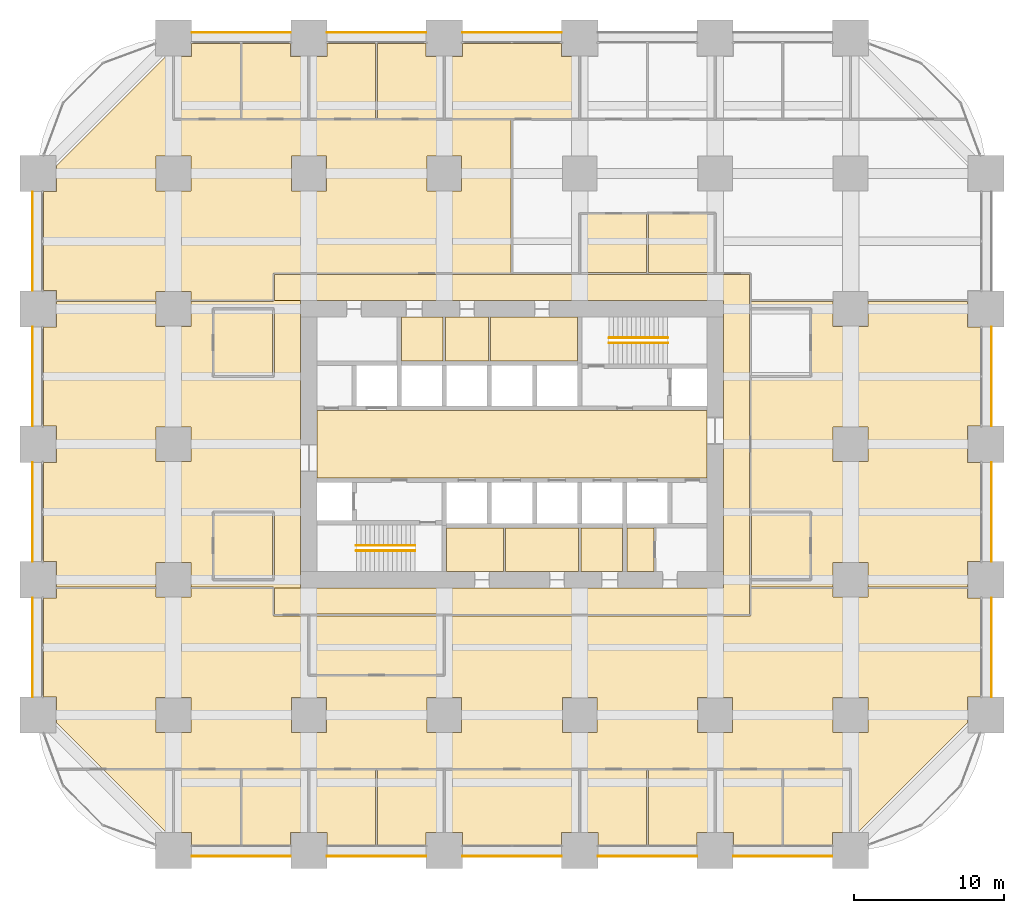
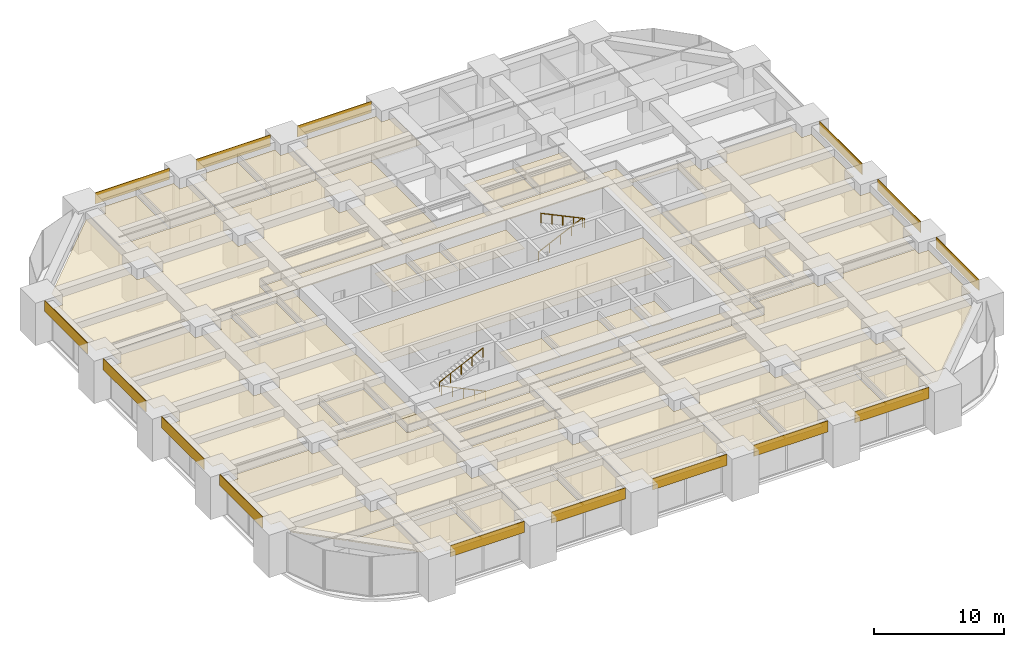
# One storey, part 44 of 45: 49 coverings, 4 railings.
"""IFC4 building model written with IfcOpenShell, lengths in metres."""

from ifc_helpers import new_model, si_unit, direction, frame, frame_2d, origin, origin_2d, place, context, subcontext, project, spatial, polyline, rectangle, circle, outline, extrude, material, layer, layer_set, type_object, element, save


model = new_model("IFC4")

# Units and contexts
model_context = context("Model", 3, precision=1e-05, world=origin(), true_north=direction((0.0, 1.0)))
body_context = subcontext(model_context, "Body", "Model", "MODEL_VIEW")
ifc_project = project(units=[si_unit("LENGTHUNIT", "METRE"), si_unit("AREAUNIT", "SQUARE_METRE"), si_unit("VOLUMEUNIT", "CUBIC_METRE"), si_unit("PLANEANGLEUNIT", "RADIAN"), si_unit("MASSUNIT", "GRAM", prefix="KILO")], contexts=[model_context])

# Site, building, storey
site_placement = place(None, origin())
site = spatial("IfcSite", under=ifc_project, at=site_placement, CompositionType="ELEMENT")
building_placement = place(site_placement, origin())
building = spatial("IfcBuilding", under=site, at=building_placement, Name="Zorevar Civic Tower", CompositionType="ELEMENT")
storey_placement = place(building_placement, frame((0.0, 0.0, 47.800048828125)))
storey = spatial("IfcBuildingStorey", under=building, at=storey_placement, Name="L11", CompositionType="ELEMENT", Elevation=47.800048828125)

# Railings
ifc_material_1 = material(Name="Black steel handrail", Category="steel")
railing_type = type_object("IfcRailingType", Name="Handrail HR1 900", PredefinedType="HANDRAIL", material=ifc_material_1)
railing_1_placement = place(storey_placement, frame((25.050048828125, 19.925048828125, 0.142822265625)))
element("IfcRailing", 1, at=railing_1_placement, inside=storey, type_object=railing_type, Name="Handrail HR1 ST1 L11", PredefinedType="HANDRAIL", context=body_context, shape_type="SweptSolid", body=[
    extrude(circle(Radius=0.02392578125, at=origin_2d()), frame((0.0, 0.0, 0.8759765625), z_axis=(-0.902863652845, 0.0, 0.429926998885), x_axis=(0.0, -1.0, 0.0)), (0.0, 0.0, 1.0), 4.31982421875),
    extrude(circle(Radius=0.02099609375, at=origin_2d()), origin(), (0.0, 0.0, 1.0), 0.851806640625),
    extrude(circle(Radius=0.02099609375, at=origin_2d()), frame((-0.97509765625, 0.0, 0.46435546875)), (0.0, 0.0, 1.0), 0.851806640625),
    extrude(circle(Radius=0.02099609375, at=origin_2d()), frame((-1.9501953125, 0.0, 0.9287109375)), (0.0, 0.0, 1.0), 0.851806640625),
    extrude(circle(Radius=0.02099609375, at=origin_2d()), frame((-2.925048828125, 0.0, 1.392822265625)), (0.0, 0.0, 1.0), 0.851806640625),
    extrude(circle(Radius=0.02099609375, at=origin_2d()), frame((-3.900146484375, 0.0, 1.857177734375)), (0.0, 0.0, 1.0), 0.851806640625),
])
for number, where, name in (
    (2, (21.14990234375, 20.27490234375, 2.142822265625), "Handrail HR1 ST1 L11"),
    (3, (37.949951171875, 34.074951171875, 0.142822265625), "Handrail HR1 ST2 L11"),
):
    element("IfcRailing", number, at=place(storey_placement, frame(where)), inside=storey, type_object=railing_type, Name=name, PredefinedType="HANDRAIL", context=body_context, shape_type="SweptSolid", body=[
        extrude(circle(Radius=0.02392578125, at=origin_2d()), frame((0.0, 0.0, 0.8759765625), z_axis=(0.902863652845, 0.0, 0.429926998885), x_axis=(0.0, 1.0, 0.0)), (0.0, 0.0, 1.0), 4.31982421875),
        extrude(circle(Radius=0.02099609375, at=origin_2d()), origin(), (0.0, 0.0, 1.0), 0.851806640625),
        extrude(circle(Radius=0.02099609375, at=origin_2d()), frame((0.97509765625, 0.0, 0.46435546875)), (0.0, 0.0, 1.0), 0.851806640625),
        extrude(circle(Radius=0.02099609375, at=origin_2d()), frame((1.9501953125, 0.0, 0.9287109375)), (0.0, 0.0, 1.0), 0.851806640625),
        extrude(circle(Radius=0.02099609375, at=origin_2d()), frame((2.925048828125, 0.0, 1.392822265625)), (0.0, 0.0, 1.0), 0.851806640625),
        extrude(circle(Radius=0.02099609375, at=origin_2d()), frame((3.900146484375, 0.0, 1.857177734375)), (0.0, 0.0, 1.0), 0.851806640625),
    ])
railing_2_placement = place(storey_placement, frame((41.85009765625, 33.72509765625, 2.142822265625)))
element("IfcRailing", 4, at=railing_2_placement, inside=storey, type_object=railing_type, Name="Handrail HR1 ST2 L11", PredefinedType="HANDRAIL", context=body_context, shape_type="SweptSolid", body=[
    extrude(circle(Radius=0.02392578125, at=origin_2d()), frame((0.0, 0.0, 0.8759765625), z_axis=(-0.902863652845, 0.0, 0.429926998885), x_axis=(0.0, -1.0, 0.0)), (0.0, 0.0, 1.0), 4.31982421875),
    extrude(circle(Radius=0.02099609375, at=origin_2d()), origin(), (0.0, 0.0, 1.0), 0.851806640625),
    extrude(circle(Radius=0.02099609375, at=origin_2d()), frame((-0.97509765625, 0.0, 0.46435546875)), (0.0, 0.0, 1.0), 0.851806640625),
    extrude(circle(Radius=0.02099609375, at=origin_2d()), frame((-1.9501953125, 0.0, 0.9287109375)), (0.0, 0.0, 1.0), 0.851806640625),
    extrude(circle(Radius=0.02099609375, at=origin_2d()), frame((-2.925048828125, 0.0, 1.392822265625)), (0.0, 0.0, 1.0), 0.851806640625),
    extrude(circle(Radius=0.02099609375, at=origin_2d()), frame((-3.900146484375, 0.0, 1.857177734375)), (0.0, 0.0, 1.0), 0.851806640625),
])

# Coverings
ifc_material_2 = material(Name="Moisture-resistant gypsum board")
ifc_layer_1 = layer(ifc_material_2, 0.012451171875)
ifc_layer_set_1 = layer_set([ifc_layer_1], Name="Moisture-resistant ceiling SC3")
covering_type_1 = type_object("IfcCoveringType", Name="Moisture-resistant ceiling SC3", PredefinedType="CEILING", material=ifc_layer_set_1)
covering_1_placement = place(storey_placement, frame((0.0, 0.0, 3.0)))
element("IfcCovering", 5, at=covering_1_placement, inside=storey, type_object=covering_type_1, Name="Ceiling L11-05", PredefinedType="CEILING", context=body_context, shape_type="SweptSolid", body=[
    extrude(outline(polyline([(30.925048828125, 18.550048828125), (30.925048828125, 21.449951171875), (27.14990234375, 21.449951171875), (27.14990234375, 18.550048828125), (30.925048828125, 18.550048828125)])), origin(), (0.0, 0.0, 1.0), 0.012451171875),
])
covering_2_placement = place(storey_placement, frame((0.0, 0.0, 3.0)))
element("IfcCovering", 6, at=covering_2_placement, inside=storey, type_object=covering_type_1, Name="Ceiling L11-06", PredefinedType="CEILING", context=body_context, shape_type="SweptSolid", body=[
    extrude(outline(polyline([(35.925048828125, 18.550048828125), (35.925048828125, 21.449951171875), (31.074951171875, 21.449951171875), (31.074951171875, 18.550048828125), (35.925048828125, 18.550048828125)])), origin(), (0.0, 0.0, 1.0), 0.012451171875),
])
covering_3_placement = place(storey_placement, frame((0.0, 0.0, 3.0)))
element("IfcCovering", 7, at=covering_3_placement, inside=storey, type_object=covering_type_1, Name="Ceiling L11-07", PredefinedType="CEILING", context=body_context, shape_type="SweptSolid", body=[
    extrude(outline(polyline([(38.85009765625, 18.550048828125), (38.85009765625, 21.449951171875), (36.074951171875, 21.449951171875), (36.074951171875, 18.550048828125), (38.85009765625, 18.550048828125)])), origin(), (0.0, 0.0, 1.0), 0.012451171875),
])
covering_4_placement = place(storey_placement, frame((0.0, 0.0, 3.0)))
element("IfcCovering", 8, at=covering_4_placement, inside=storey, type_object=covering_type_1, Name="Ceiling L11-10", PredefinedType="CEILING", context=body_context, shape_type="SweptSolid", body=[
    extrude(outline(polyline([(26.925048828125, 32.550048828125), (26.925048828125, 35.449951171875), (24.14990234375, 35.449951171875), (24.14990234375, 32.550048828125), (26.925048828125, 32.550048828125)])), origin(), (0.0, 0.0, 1.0), 0.012451171875),
])
ifc_material_3 = material(Name="Black anodised aluminium spandrel panel", Category="aluminium")
ifc_layer_2 = layer(ifc_material_3, 0.050048828125)
ifc_layer_set_2 = layer_set([ifc_layer_2], Name="Spandrel cladding SP1")
covering_type_2 = type_object("IfcCoveringType", Name="Spandrel cladding SP1", PredefinedType="CLADDING", material=ifc_layer_set_2)
for number, where, z_axis, x_axis, name in (
    (9, (10.199951171875, -0.375, 2.949951171875), (0.0, 0.0, 1.0), (1.0, 0.0, 0.0), "Spandrel cladding L12"),
    (10, (19.199951171875, -0.375, 2.949951171875), (0.0, 0.0, 1.0), (1.0, 0.0, 0.0), "Spandrel cladding L12"),
    (11, (28.199951171875, -0.375, 2.949951171875), (0.0, 0.0, 1.0), (1.0, 0.0, 0.0), "Spandrel cladding L12"),
    (12, (37.199951171875, -0.375, 2.949951171875), (0.0, 0.0, 1.0), (1.0, 0.0, 0.0), "Spandrel cladding L12"),
    (13, (46.199951171875, -0.375, 2.949951171875), (0.0, 0.0, 1.0), (1.0, 0.0, 0.0), "Spandrel cladding L12"),
    (14, (10.199951171875, 54.375, 2.949951171875), (0.0, 0.0, 1.0), (1.0, 0.0, 0.0), "Spandrel cladding L12"),
    (15, (19.199951171875, 54.375, 2.949951171875), (0.0, 0.0, 1.0), (1.0, 0.0, 0.0), "Spandrel cladding L12"),
    (16, (28.199951171875, 54.375, 2.949951171875), (0.0, 0.0, 1.0), (1.0, 0.0, 0.0), "Spandrel cladding L12"),
    (17, (-0.375, 10.199951171875, 2.949951171875), (0.0, 0.0, 1.0), (0.0, 1.0, 0.0), "Spandrel cladding L12"),
    (18, (-0.375, 19.199951171875, 2.949951171875), (0.0, 0.0, 1.0), (0.0, 1.0, 0.0), "Spandrel cladding L12"),
    (19, (-0.375, 28.199951171875, 2.949951171875), (0.0, 0.0, 1.0), (0.0, 1.0, 0.0), "Spandrel cladding L12"),
    (20, (-0.375, 37.199951171875, 2.949951171875), (0.0, 0.0, 1.0), (0.0, 1.0, 0.0), "Spandrel cladding L12"),
    (21, (63.375, 10.199951171875, 2.949951171875), (0.0, 0.0, 1.0), (0.0, 1.0, 0.0), "Spandrel cladding L12"),
    (22, (63.375, 19.199951171875, 2.949951171875), (0.0, 0.0, 1.0), (0.0, 1.0, 0.0), "Spandrel cladding L12"),
    (23, (63.375, 28.199951171875, 2.949951171875), (0.0, 0.0, 1.0), (0.0, 1.0, 0.0), "Spandrel cladding L12"),
):
    element("IfcCovering", number, at=place(storey_placement, frame(where, z_axis=z_axis, x_axis=x_axis)), inside=storey, type_object=covering_type_2, Name=name, PredefinedType="CLADDING", context=body_context, shape_type="SweptSolid", body=[
        extrude(rectangle(XDim=6.60009765625, YDim=0.050048828125, at=frame_2d((3.300048828125, 0.0))), origin(), (0.0, 0.0, 1.0), 1.050048828125),
    ])
ifc_material_4 = material(Name="Mineral fibre tiles on a concealed grid")
ifc_layer_3 = layer(ifc_material_4, 0.02001953125)
ifc_layer_set_3 = layer_set([ifc_layer_3], Name="Suspended ceiling SC1")
covering_type_3 = type_object("IfcCoveringType", Name="Suspended ceiling SC1", PredefinedType="CEILING", material=ifc_layer_set_3)
covering_5_placement = place(storey_placement, frame((0.0, 0.0, 3.0)))
element("IfcCovering", 24, at=covering_5_placement, inside=storey, type_object=covering_type_3, Name="Ceiling L11-08", PredefinedType="CEILING", context=body_context, shape_type="SweptSolid", body=[
    extrude(outline(polyline([(35.85009765625, 32.550048828125), (35.85009765625, 35.449951171875), (30.06005859375, 35.449951171875), (30.06005859375, 32.550048828125), (35.85009765625, 32.550048828125)])), origin(), (0.0, 0.0, 1.0), 0.02001953125),
])
covering_6_placement = place(storey_placement, frame((0.0, 0.0, 3.0)))
element("IfcCovering", 25, at=covering_6_placement, inside=storey, type_object=covering_type_3, Name="Ceiling L11-09", PredefinedType="CEILING", context=body_context, shape_type="SweptSolid", body=[
    extrude(outline(polyline([(29.93994140625, 32.550048828125), (29.93994140625, 35.449951171875), (27.074951171875, 35.449951171875), (27.074951171875, 32.550048828125), (29.93994140625, 32.550048828125)])), origin(), (0.0, 0.0, 1.0), 0.02001953125),
])
covering_7_placement = place(storey_placement, frame((0.0, 0.0, 3.0)))
element("IfcCovering", 26, at=covering_7_placement, inside=storey, type_object=covering_type_3, Name="Ceiling L11-11", PredefinedType="CEILING", context=body_context, shape_type="SweptSolid", body=[
    extrude(outline(polyline([(40.93994140625, 18.550048828125), (40.93994140625, 21.449951171875), (39.14990234375, 21.449951171875), (39.14990234375, 18.550048828125), (40.93994140625, 18.550048828125)])), origin(), (0.0, 0.0, 1.0), 0.02001953125),
])
covering_8_placement = place(storey_placement, frame((0.0, 0.0, 3.0)))
element("IfcCovering", 27, at=covering_8_placement, inside=storey, type_object=covering_type_3, Name="Ceiling L11-16", PredefinedType="CEILING", context=body_context, shape_type="SweptSolid", body=[
    extrude(outline(polyline([(44.449951171875, 24.75), (44.449951171875, 29.25), (18.550048828125, 29.25), (18.550048828125, 24.75), (44.449951171875, 24.75)])), origin(), (0.0, 0.0, 1.0), 0.02001953125),
])
covering_9_placement = place(storey_placement, frame((0.0, 0.0, 3.0)))
element("IfcCovering", 28, at=covering_9_placement, inside=storey, type_object=covering_type_3, Name="Ceiling L11-17", PredefinedType="CEILING", context=body_context, shape_type="SweptSolid", body=[
    extrude(outline(polyline([(13.43994140625, 5.340087890625), (13.43994140625, 0.35009765625), (10.2099609375, 0.35009765625), (10.2099609375, 1.2099609375), (9.06005859375, 1.2099609375), (9.06005859375, 5.340087890625), (13.43994140625, 5.340087890625)])), origin(), (0.0, 0.0, 1.0), 0.02001953125),
])
covering_10_placement = place(storey_placement, frame((0.0, 0.0, 3.0)))
element("IfcCovering", 29, at=covering_10_placement, inside=storey, type_object=covering_type_3, Name="Ceiling L11-18", PredefinedType="CEILING", context=body_context, shape_type="SweptSolid", body=[
    extrude(outline(polyline([(17.93994140625, 5.340087890625), (17.93994140625, 1.2099609375), (16.7900390625, 1.2099609375), (16.7900390625, 0.35009765625), (13.56005859375, 0.35009765625), (13.56005859375, 5.340087890625), (17.93994140625, 5.340087890625)])), origin(), (0.0, 0.0, 1.0), 0.02001953125),
])
covering_11_placement = place(storey_placement, frame((0.0, 0.0, 3.0)))
element("IfcCovering", 30, at=covering_11_placement, inside=storey, type_object=covering_type_3, Name="Ceiling L11-19", PredefinedType="CEILING", context=body_context, shape_type="SweptSolid", body=[
    extrude(outline(polyline([(22.43994140625, 5.340087890625), (22.43994140625, 0.35009765625), (19.2099609375, 0.35009765625), (19.2099609375, 1.2099609375), (18.06005859375, 1.2099609375), (18.06005859375, 5.340087890625), (22.43994140625, 5.340087890625)])), origin(), (0.0, 0.0, 1.0), 0.02001953125),
])
covering_12_placement = place(storey_placement, frame((0.0, 0.0, 3.0)))
element("IfcCovering", 31, at=covering_12_placement, inside=storey, type_object=covering_type_3, Name="Ceiling L11-20", PredefinedType="CEILING", context=body_context, shape_type="SweptSolid", body=[
    extrude(outline(polyline([(26.93994140625, 5.340087890625), (26.93994140625, 1.2099609375), (25.7900390625, 1.2099609375), (25.7900390625, 0.35009765625), (22.56005859375, 0.35009765625), (22.56005859375, 5.340087890625), (26.93994140625, 5.340087890625)])), origin(), (0.0, 0.0, 1.0), 0.02001953125),
])
covering_13_placement = place(storey_placement, frame((0.0, 0.0, 3.0)))
element("IfcCovering", 32, at=covering_13_placement, inside=storey, type_object=covering_type_3, Name="Ceiling L11-21", PredefinedType="CEILING", context=body_context, shape_type="SweptSolid", body=[
    extrude(outline(polyline([(28.2099609375, 0.35009765625), (28.2099609375, 1.2099609375), (27.06005859375, 1.2099609375), (27.06005859375, 5.340087890625), (35.93994140625, 5.340087890625), (35.93994140625, 1.2099609375), (34.7900390625, 1.2099609375), (34.7900390625, 0.35009765625), (28.2099609375, 0.35009765625)])), origin(), (0.0, 0.0, 1.0), 0.02001953125),
])
covering_14_placement = place(storey_placement, frame((0.0, 0.0, 3.0)))
element("IfcCovering", 33, at=covering_14_placement, inside=storey, type_object=covering_type_3, Name="Ceiling L11-22", PredefinedType="CEILING", context=body_context, shape_type="SweptSolid", body=[
    extrude(outline(polyline([(40.43994140625, 5.340087890625), (40.43994140625, 0.35009765625), (37.2099609375, 0.35009765625), (37.2099609375, 1.2099609375), (36.06005859375, 1.2099609375), (36.06005859375, 5.340087890625), (40.43994140625, 5.340087890625)])), origin(), (0.0, 0.0, 1.0), 0.02001953125),
])
covering_15_placement = place(storey_placement, frame((0.0, 0.0, 3.0)))
element("IfcCovering", 34, at=covering_15_placement, inside=storey, type_object=covering_type_3, Name="Ceiling L11-23", PredefinedType="CEILING", context=body_context, shape_type="SweptSolid", body=[
    extrude(outline(polyline([(44.93994140625, 5.340087890625), (44.93994140625, 1.2099609375), (43.7900390625, 1.2099609375), (43.7900390625, 0.35009765625), (40.56005859375, 0.35009765625), (40.56005859375, 5.340087890625), (44.93994140625, 5.340087890625)])), origin(), (0.0, 0.0, 1.0), 0.02001953125),
])
covering_16_placement = place(storey_placement, frame((0.0, 0.0, 3.0)))
element("IfcCovering", 35, at=covering_16_placement, inside=storey, type_object=covering_type_3, Name="Ceiling L11-24", PredefinedType="CEILING", context=body_context, shape_type="SweptSolid", body=[
    extrude(outline(polyline([(49.43994140625, 5.340087890625), (49.43994140625, 0.35009765625), (46.2099609375, 0.35009765625), (46.2099609375, 1.2099609375), (45.06005859375, 1.2099609375), (45.06005859375, 5.340087890625), (49.43994140625, 5.340087890625)])), origin(), (0.0, 0.0, 1.0), 0.02001953125),
])
covering_17_placement = place(storey_placement, frame((0.0, 0.0, 3.0)))
element("IfcCovering", 36, at=covering_17_placement, inside=storey, type_object=covering_type_3, Name="Ceiling L11-25", PredefinedType="CEILING", context=body_context, shape_type="SweptSolid", body=[
    extrude(outline(polyline([(53.93994140625, 5.340087890625), (53.93994140625, 1.2099609375), (52.7900390625, 1.2099609375), (52.7900390625, 0.35009765625), (49.56005859375, 0.35009765625), (49.56005859375, 5.340087890625), (53.93994140625, 5.340087890625)])), origin(), (0.0, 0.0, 1.0), 0.02001953125),
])
covering_18_placement = place(storey_placement, frame((0.0, 0.0, 3.0)))
element("IfcCovering", 37, at=covering_18_placement, inside=storey, type_object=covering_type_3, Name="Ceiling L11-26", PredefinedType="CEILING", context=body_context, shape_type="SweptSolid", body=[
    extrude(outline(polyline([(9.06005859375, 48.659912109375), (9.06005859375, 52.7900390625), (10.2099609375, 52.7900390625), (10.2099609375, 53.64990234375), (13.43994140625, 53.64990234375), (13.43994140625, 48.659912109375), (9.06005859375, 48.659912109375)])), origin(), (0.0, 0.0, 1.0), 0.02001953125),
])
covering_19_placement = place(storey_placement, frame((0.0, 0.0, 3.0)))
element("IfcCovering", 38, at=covering_19_placement, inside=storey, type_object=covering_type_3, Name="Ceiling L11-27", PredefinedType="CEILING", context=body_context, shape_type="SweptSolid", body=[
    extrude(outline(polyline([(13.56005859375, 48.659912109375), (13.56005859375, 53.64990234375), (16.7900390625, 53.64990234375), (16.7900390625, 52.7900390625), (17.93994140625, 52.7900390625), (17.93994140625, 48.659912109375), (13.56005859375, 48.659912109375)])), origin(), (0.0, 0.0, 1.0), 0.02001953125),
])
covering_20_placement = place(storey_placement, frame((0.0, 0.0, 3.0)))
element("IfcCovering", 39, at=covering_20_placement, inside=storey, type_object=covering_type_3, Name="Ceiling L11-28", PredefinedType="CEILING", context=body_context, shape_type="SweptSolid", body=[
    extrude(outline(polyline([(18.06005859375, 48.659912109375), (18.06005859375, 52.7900390625), (19.2099609375, 52.7900390625), (19.2099609375, 53.64990234375), (22.43994140625, 53.64990234375), (22.43994140625, 48.659912109375), (18.06005859375, 48.659912109375)])), origin(), (0.0, 0.0, 1.0), 0.02001953125),
])
covering_21_placement = place(storey_placement, frame((0.0, 0.0, 3.0)))
element("IfcCovering", 40, at=covering_21_placement, inside=storey, type_object=covering_type_3, Name="Ceiling L11-29", PredefinedType="CEILING", context=body_context, shape_type="SweptSolid", body=[
    extrude(outline(polyline([(22.56005859375, 48.659912109375), (22.56005859375, 53.64990234375), (25.7900390625, 53.64990234375), (25.7900390625, 52.7900390625), (26.93994140625, 52.7900390625), (26.93994140625, 48.659912109375), (22.56005859375, 48.659912109375)])), origin(), (0.0, 0.0, 1.0), 0.02001953125),
])
covering_22_placement = place(storey_placement, frame((0.0, 0.0, 3.0)))
element("IfcCovering", 41, at=covering_22_placement, inside=storey, type_object=covering_type_3, Name="Ceiling L11-30", PredefinedType="CEILING", context=body_context, shape_type="SweptSolid", body=[
    extrude(outline(polyline([(28.2099609375, 52.7900390625), (28.2099609375, 53.64990234375), (34.7900390625, 53.64990234375), (34.7900390625, 52.7900390625), (35.93994140625, 52.7900390625), (35.93994140625, 48.659912109375), (27.06005859375, 48.659912109375), (27.06005859375, 52.7900390625), (28.2099609375, 52.7900390625)])), origin(), (0.0, 0.0, 1.0), 0.02001953125),
])
covering_23_placement = place(storey_placement, frame((0.0, 0.0, 3.0)))
element("IfcCovering", 42, at=covering_23_placement, inside=storey, type_object=covering_type_3, Name="Ceiling L11-35", PredefinedType="CEILING", context=body_context, shape_type="SweptSolid", body=[
    extrude(outline(polyline([(18.06005859375, 11.699951171875), (18.06005859375, 15.590087890625), (26.93994140625, 15.590087890625), (26.93994140625, 11.699951171875), (18.06005859375, 11.699951171875)])), origin(), (0.0, 0.0, 1.0), 0.02001953125),
])
covering_24_placement = place(storey_placement, frame((0.0, 0.0, 3.0)))
element("IfcCovering", 43, at=covering_24_placement, inside=storey, type_object=covering_type_3, Name="Ceiling L11-36", PredefinedType="CEILING", context=body_context, shape_type="SweptSolid", body=[
    extrude(outline(polyline([(36.06005859375, 38.409912109375), (36.06005859375, 42.300048828125), (40.43994140625, 42.300048828125), (40.43994140625, 38.409912109375), (36.06005859375, 38.409912109375)])), origin(), (0.0, 0.0, 1.0), 0.02001953125),
])
covering_25_placement = place(storey_placement, frame((0.0, 0.0, 3.0)))
element("IfcCovering", 44, at=covering_25_placement, inside=storey, type_object=covering_type_3, Name="Ceiling L11-37", PredefinedType="CEILING", context=body_context, shape_type="SweptSolid", body=[
    extrude(outline(polyline([(40.56005859375, 38.409912109375), (40.56005859375, 42.2900390625), (44.93994140625, 42.2900390625), (44.93994140625, 38.409912109375), (40.56005859375, 38.409912109375)])), origin(), (0.0, 0.0, 1.0), 0.02001953125),
])
covering_26_placement = place(storey_placement, frame((0.0, 0.0, 3.0)))
element("IfcCovering", 45, at=covering_26_placement, inside=storey, type_object=covering_type_3, Name="Ceiling L11-38", PredefinedType="CEILING", context=body_context, shape_type="SweptSolid", body=[
    extrude(outline(polyline([(15.590087890625, 22.43994140625), (15.590087890625, 18.06005859375), (11.7099609375, 18.06005859375), (11.7099609375, 22.43994140625), (15.590087890625, 22.43994140625)])), origin(), (0.0, 0.0, 1.0), 0.02001953125),
])
covering_27_placement = place(storey_placement, frame((0.0, 0.0, 3.0)))
element("IfcCovering", 46, at=covering_27_placement, inside=storey, type_object=covering_type_3, Name="Ceiling L11-40", PredefinedType="CEILING", context=body_context, shape_type="SweptSolid", body=[
    extrude(outline(polyline([(11.7099609375, 31.56005859375), (11.7099609375, 35.93994140625), (15.590087890625, 35.93994140625), (15.590087890625, 31.56005859375), (11.7099609375, 31.56005859375)])), origin(), (0.0, 0.0, 1.0), 0.02001953125),
])
covering_28_placement = place(storey_placement, frame((0.0, 0.0, 3.0)))
element("IfcCovering", 47, at=covering_28_placement, inside=storey, type_object=covering_type_3, Name="Ceiling L11-41", PredefinedType="CEILING", context=body_context, shape_type="SweptSolid", body=[
    extrude(outline(polyline([(51.2900390625, 22.43994140625), (51.2900390625, 18.06005859375), (47.409912109375, 18.06005859375), (47.409912109375, 22.43994140625), (51.2900390625, 22.43994140625)])), origin(), (0.0, 0.0, 1.0), 0.02001953125),
])
covering_29_placement = place(storey_placement, frame((0.0, 0.0, 3.0)))
element("IfcCovering", 48, at=covering_29_placement, inside=storey, type_object=covering_type_3, Name="Ceiling L11-42", PredefinedType="CEILING", context=body_context, shape_type="SweptSolid", body=[
    extrude(outline(polyline([(8.93994140625, 5.340087890625), (8.93994140625, 1.2099609375), (8.4970703125, 1.2099609375), (4.3671875, 5.340087890625), (8.93994140625, 5.340087890625)])), origin(), (0.0, 0.0, 1.0), 0.02001953125),
])
covering_30_placement = place(storey_placement, frame((0.0, 0.0, 3.0)))
element("IfcCovering", 49, at=covering_30_placement, inside=storey, type_object=covering_type_3, Name="Ceiling L11-44", PredefinedType="CEILING", context=body_context, shape_type="SweptSolid", body=[
    extrude(outline(polyline([(15.699951171875, 38.300048828125), (36.0, 38.300048828125), (36.0, 38.2900390625), (45.0, 38.2900390625), (45.0, 38.300048828125), (47.300048828125, 38.300048828125), (47.300048828125, 36.0), (47.2900390625, 36.0), (47.2900390625, 31.5), (47.300048828125, 31.5), (47.300048828125, 22.5), (47.2900390625, 22.5), (47.2900390625, 18.0), (47.300048828125, 18.0), (47.300048828125, 15.699951171875), (27.0, 15.699951171875), (27.0, 15.7099609375), (18.0, 15.7099609375), (18.0, 15.699951171875), (15.699951171875, 15.699951171875), (15.699951171875, 17.449951171875), (45.550048828125, 17.449951171875), (45.550048828125, 36.550048828125), (15.699951171875, 36.550048828125), (15.699951171875, 38.300048828125)])), origin(), (0.0, 0.0, 1.0), 0.02001953125),
])
covering_31_placement = place(storey_placement, frame((0.0, 0.0, 3.0)))
element("IfcCovering", 50, at=covering_31_placement, inside=storey, type_object=covering_type_3, Name="Ceiling L11-45", PredefinedType="CEILING", context=body_context, shape_type="SweptSolid", body=[
    extrude(outline(polyline([(51.409912109375, 31.5), (51.409912109375, 36.0), (51.35009765625, 36.0), (51.35009765625, 36.06005859375), (47.39990234375, 36.06005859375), (47.39990234375, 36.5), (52.840087890625, 36.5), (52.840087890625, 34.840087890625), (55.159912109375, 34.840087890625), (55.159912109375, 36.5), (61.7900390625, 36.5), (61.7900390625, 34.7900390625), (62.64990234375, 34.7900390625), (62.64990234375, 28.2099609375), (61.7900390625, 28.2099609375), (61.7900390625, 25.7900390625), (62.64990234375, 25.7900390625), (62.64990234375, 19.2099609375), (61.7900390625, 19.2099609375), (61.7900390625, 17.5), (55.159912109375, 17.5), (55.159912109375, 19.159912109375), (52.840087890625, 19.159912109375), (52.840087890625, 17.5), (47.39990234375, 17.5), (47.39990234375, 17.93994140625), (51.35009765625, 17.93994140625), (51.35009765625, 18.0), (51.409912109375, 18.0), (51.409912109375, 22.5), (51.35009765625, 22.5), (51.35009765625, 22.56005859375), (47.39990234375, 22.56005859375), (47.39990234375, 31.43994140625), (51.35009765625, 31.43994140625), (51.35009765625, 31.5), (51.409912109375, 31.5)]), holes=[polyline([(55.159912109375, 28.159912109375), (52.840087890625, 28.159912109375), (52.840087890625, 25.840087890625), (55.159912109375, 25.840087890625), (55.159912109375, 28.159912109375)])]), origin(), (0.0, 0.0, 1.0), 0.02001953125),
])
covering_32_placement = place(storey_placement, frame((0.0, 0.0, 3.0)))
element("IfcCovering", 51, at=covering_32_placement, inside=storey, type_object=covering_type_3, Name="Ceiling L11-46", PredefinedType="CEILING", context=body_context, shape_type="SweptSolid", body=[
    extrude(outline(polyline([(31.449951171875, 48.5400390625), (31.449951171875, 38.39990234375), (15.64990234375, 38.39990234375), (15.64990234375, 38.35009765625), (15.60009765625, 38.35009765625), (15.60009765625, 36.60009765625), (10.159912109375, 36.60009765625), (10.159912109375, 37.159912109375), (7.840087890625, 37.159912109375), (7.840087890625, 36.60009765625), (1.2099609375, 36.60009765625), (1.2099609375, 37.2099609375), (0.35009765625, 37.2099609375), (0.35009765625, 43.7900390625), (1.2099609375, 43.7900390625), (1.2099609375, 45.5029296875), (8.4970703125, 52.7900390625), (8.93994140625, 52.7900390625), (8.93994140625, 48.60009765625), (9.0, 48.60009765625), (9.0, 48.5400390625), (31.449951171875, 48.5400390625)]), holes=[polyline([(10.159912109375, 46.159912109375), (7.840087890625, 46.159912109375), (7.840087890625, 43.840087890625), (10.159912109375, 43.840087890625), (10.159912109375, 46.159912109375)]), polyline([(16.840087890625, 43.840087890625), (19.159912109375, 43.840087890625), (19.159912109375, 46.159912109375), (16.840087890625, 46.159912109375), (16.840087890625, 43.840087890625)]), polyline([(25.840087890625, 46.159912109375), (25.840087890625, 43.840087890625), (28.159912109375, 43.840087890625), (28.159912109375, 46.159912109375), (25.840087890625, 46.159912109375)])]), origin(), (0.0, 0.0, 1.0), 0.02001953125),
])
covering_33_placement = place(storey_placement, frame((0.0, 0.0, 3.0)))
element("IfcCovering", 52, at=covering_33_placement, inside=storey, type_object=covering_type_3, Name="Ceiling L11-48", PredefinedType="CEILING", context=body_context, shape_type="SweptSolid", body=[
    extrude(outline(polyline([(52.840087890625, 17.39990234375), (52.840087890625, 16.840087890625), (55.159912109375, 16.840087890625), (55.159912109375, 17.39990234375), (61.7900390625, 17.39990234375), (61.7900390625, 16.7900390625), (62.64990234375, 16.7900390625), (62.64990234375, 10.2099609375), (61.7900390625, 10.2099609375), (61.7900390625, 8.4970703125), (54.5029296875, 1.2099609375), (54.06005859375, 1.2099609375), (54.06005859375, 5.39990234375), (54.0, 5.39990234375), (54.0, 5.4599609375), (4.2470703125, 5.4599609375), (1.2099609375, 8.4970703125), (1.2099609375, 10.2099609375), (0.35009765625, 10.2099609375), (0.35009765625, 16.7900390625), (1.2099609375, 16.7900390625), (1.2099609375, 17.39990234375), (7.840087890625, 17.39990234375), (7.840087890625, 16.840087890625), (10.159912109375, 16.840087890625), (10.159912109375, 17.39990234375), (15.60009765625, 17.39990234375), (15.60009765625, 15.64990234375), (15.64990234375, 15.64990234375), (15.64990234375, 15.60009765625), (17.93994140625, 15.60009765625), (17.93994140625, 11.64990234375), (18.0, 11.64990234375), (18.0, 11.60009765625), (27.0, 11.60009765625), (27.0, 11.64990234375), (27.06005859375, 11.64990234375), (27.06005859375, 15.60009765625), (47.35009765625, 15.60009765625), (47.35009765625, 15.64990234375), (47.39990234375, 15.64990234375), (47.39990234375, 17.39990234375), (52.840087890625, 17.39990234375)]), holes=[polyline([(10.159912109375, 10.159912109375), (7.840087890625, 10.159912109375), (7.840087890625, 7.840087890625), (10.159912109375, 7.840087890625), (10.159912109375, 10.159912109375)]), polyline([(16.840087890625, 7.840087890625), (19.159912109375, 7.840087890625), (19.159912109375, 10.159912109375), (16.840087890625, 10.159912109375), (16.840087890625, 7.840087890625)]), polyline([(25.840087890625, 10.159912109375), (25.840087890625, 7.840087890625), (28.159912109375, 7.840087890625), (28.159912109375, 10.159912109375), (25.840087890625, 10.159912109375)]), polyline([(37.159912109375, 10.159912109375), (34.840087890625, 10.159912109375), (34.840087890625, 7.840087890625), (37.159912109375, 7.840087890625), (37.159912109375, 10.159912109375)]), polyline([(46.159912109375, 7.840087890625), (46.159912109375, 10.159912109375), (43.840087890625, 10.159912109375), (43.840087890625, 7.840087890625), (46.159912109375, 7.840087890625)]), polyline([(52.840087890625, 10.159912109375), (52.840087890625, 7.840087890625), (55.159912109375, 7.840087890625), (55.159912109375, 10.159912109375), (52.840087890625, 10.159912109375)])]), origin(), (0.0, 0.0, 1.0), 0.02001953125),
])
covering_34_placement = place(storey_placement, frame((0.0, 0.0, 3.0)))
element("IfcCovering", 53, at=covering_34_placement, inside=storey, type_object=covering_type_3, Name="Ceiling L11-49", PredefinedType="CEILING", context=body_context, shape_type="SweptSolid", body=[
    extrude(outline(polyline([(0.35009765625, 19.2099609375), (0.35009765625, 25.7900390625), (1.2099609375, 25.7900390625), (1.2099609375, 28.2099609375), (0.35009765625, 28.2099609375), (0.35009765625, 34.7900390625), (1.2099609375, 34.7900390625), (1.2099609375, 36.5), (7.840087890625, 36.5), (7.840087890625, 34.840087890625), (10.159912109375, 34.840087890625), (10.159912109375, 36.5), (15.64990234375, 36.5), (15.64990234375, 36.550048828125), (17.449951171875, 36.550048828125), (17.449951171875, 17.449951171875), (15.64990234375, 17.449951171875), (15.64990234375, 17.5), (10.159912109375, 17.5), (10.159912109375, 19.159912109375), (7.840087890625, 19.159912109375), (7.840087890625, 17.5), (1.2099609375, 17.5), (1.2099609375, 19.2099609375), (0.35009765625, 19.2099609375)]), holes=[polyline([(11.590087890625, 22.5), (11.590087890625, 18.0), (11.64990234375, 18.0), (11.64990234375, 17.93994140625), (15.64990234375, 17.93994140625), (15.64990234375, 18.0), (15.7099609375, 18.0), (15.7099609375, 22.5), (15.64990234375, 22.5), (15.64990234375, 22.56005859375), (11.64990234375, 22.56005859375), (11.64990234375, 22.5), (11.590087890625, 22.5)]), polyline([(11.590087890625, 36.0), (11.590087890625, 31.5), (11.64990234375, 31.5), (11.64990234375, 31.43994140625), (15.64990234375, 31.43994140625), (15.64990234375, 31.5), (15.7099609375, 31.5), (15.7099609375, 36.0), (15.64990234375, 36.0), (15.64990234375, 36.06005859375), (11.64990234375, 36.06005859375), (11.64990234375, 36.0), (11.590087890625, 36.0)]), polyline([(7.840087890625, 28.159912109375), (7.840087890625, 25.840087890625), (10.159912109375, 25.840087890625), (10.159912109375, 28.159912109375), (7.840087890625, 28.159912109375)])]), origin(), (0.0, 0.0, 1.0), 0.02001953125),
])

save(model, "model.ifc")
